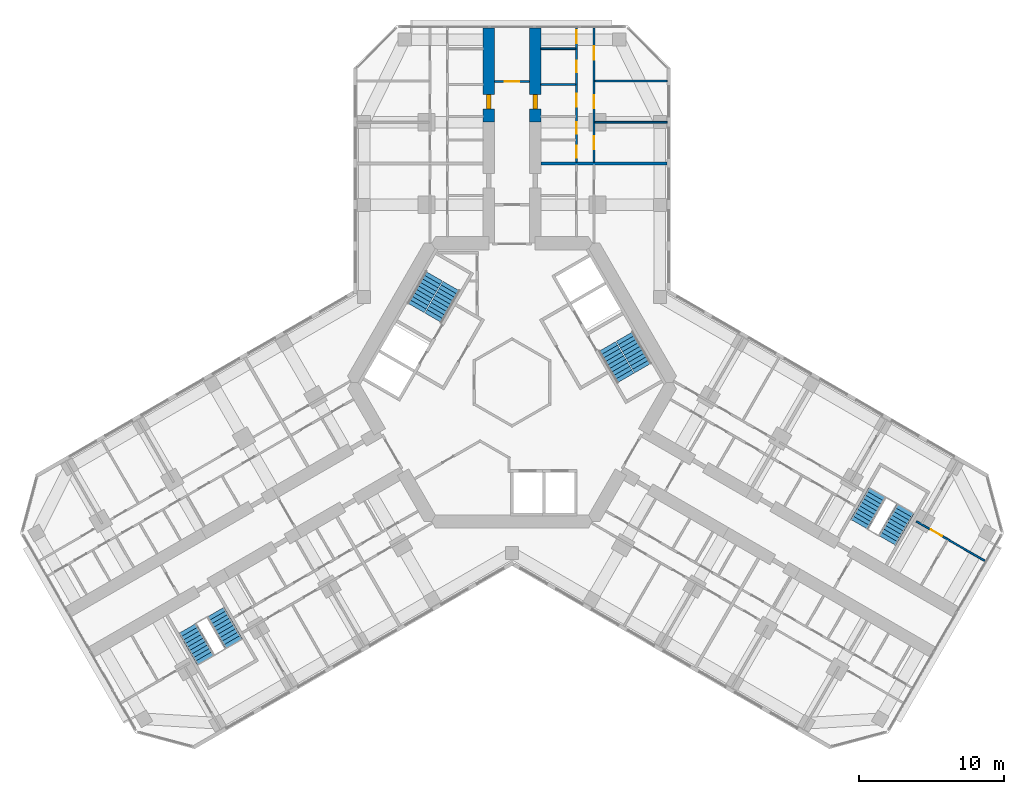
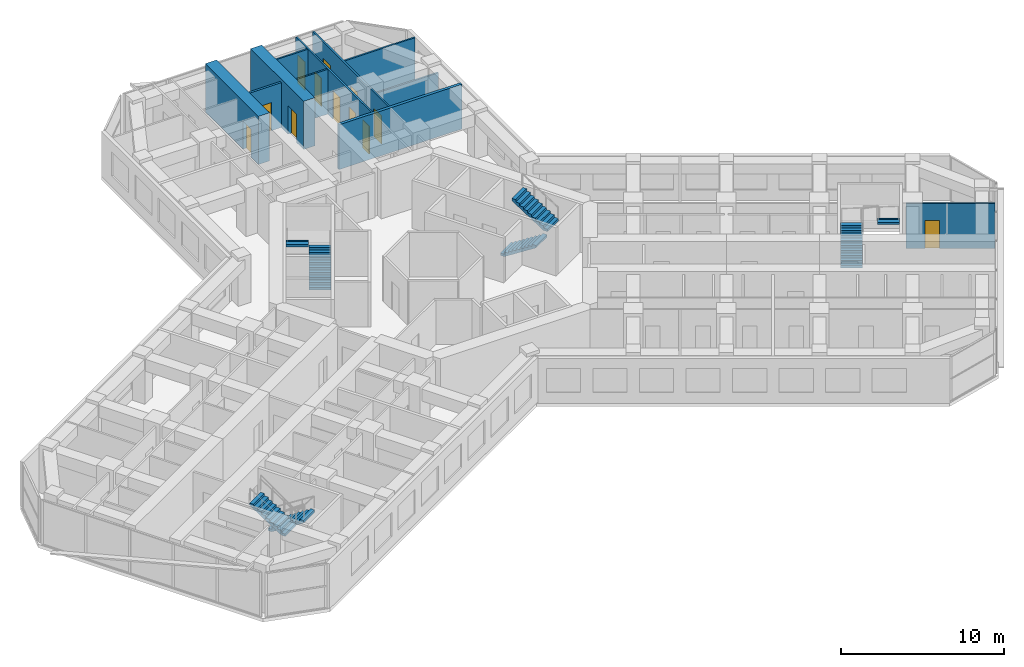
# One storey, part 18 of 19: 12 doors, 11 walls, 8 stair flights, 12 openings, 4 elements without a shape of their own.
"""IFC4 building model written with IfcOpenShell, lengths in metres."""

from ifc_helpers import new_model, si_unit, direction, frame, frame_2d, origin, place, context, subcontext, project, spatial, polyline, rectangle, outline, extrude, material, layer, layer_set, type_object, element, fill, aggregate, save


model = new_model("IFC4")

# Units and contexts
model_context = context("Model", 3, precision=1e-05, world=origin(), true_north=direction((0.0, 1.0)))
body_context = subcontext(model_context, "Body", "Model", "MODEL_VIEW")
ifc_project = project(units=[si_unit("LENGTHUNIT", "METRE"), si_unit("AREAUNIT", "SQUARE_METRE"), si_unit("VOLUMEUNIT", "CUBIC_METRE"), si_unit("PLANEANGLEUNIT", "RADIAN"), si_unit("MASSUNIT", "GRAM", prefix="KILO")], contexts=[model_context])

# Site, building, storey
site_placement = place(None, origin())
site = spatial("IfcSite", under=ifc_project, at=site_placement, CompositionType="ELEMENT")
building_placement = place(site_placement, origin())
building = spatial("IfcBuilding", under=site, at=building_placement, Name="Kosmar Iwan School Tower", CompositionType="ELEMENT")
storey_placement = place(building_placement, frame((0.0, 0.0, 168.800048828125)))
storey = spatial("IfcBuildingStorey", under=building, at=storey_placement, Name="L42", CompositionType="ELEMENT", Elevation=168.800048828125)

# Wall, opening, door
ifc_material_1 = material(Name="Concrete C50/60", Category="concrete")
ifc_layer_1 = layer(ifc_material_1, 0.800048828125)
ifc_layer_set_1 = layer_set([ifc_layer_1], Name="Corridor buttress wall 800")
wall_type_1 = type_object("IfcWallType", Name="Corridor buttress wall 800", PredefinedType="SHEAR", material=ifc_layer_set_1)
wall_1_placement = place(storey_placement, frame((-1.60009765625, 17.949951171875, 0.0), z_axis=(0.0, 0.0, 1.0), x_axis=(0.0, 1.0, 0.0)))
wall_1 = element("IfcWall", 1, at=wall_1_placement, inside=storey, type_object=wall_type_1, Name="Corridor wall AL bay 2", PredefinedType="SHEAR", context=body_context, shape_type="SweptSolid", body=[
    extrude(rectangle(XDim=6.4951171875, YDim=0.800048828125, at=frame_2d((3.24755859375, 0.0))), origin(), (0.0, 0.0, 1.0), 3.599853515625),
])
opening_1_placement = place(wall_1_placement, frame((0.89990234375, 0.0, 0.0)))
opening_1 = element("IfcOpeningElement", 2, at=opening_1_placement, cuts=wall_1, Name="Opening D1", PredefinedType="OPENING", context=body_context, shape_type="SweptSolid", body=[
    extrude(rectangle(XDim=1.0, YDim=2.10009765625, at=frame_2d((0.5, 1.050048828125))), frame((0.0, 0.412109375, 0.0), z_axis=(0.0, -1.0, 0.0), x_axis=(1.0, 0.0, 0.0)), (0.0, 0.0, 1.0), 0.823974609375),
])
ifc_material_2 = material(Name="Timber fire door in steel frame", Category="steel")
door_type_1 = type_object("IfcDoorType", Name="Flat entrance door 1000x2100", OperationType="SINGLE_SWING_LEFT", PredefinedType="DOOR", material=ifc_material_2)
door_1_placement = place(opening_1_placement, origin())
door_1 = element("IfcDoor", 3, at=door_1_placement, inside=storey, type_object=door_type_1, Name="Flat L42-AL2 entrance door", OperationType="SINGLE_SWING_LEFT", OverallHeight=2.10009765625, OverallWidth=1.0, PredefinedType="DOOR", context=body_context, shape_type="SweptSolid", body=[
    extrude(rectangle(XDim=1.0, YDim=2.10009765625, at=frame_2d((0.5, 1.050048828125))), frame((0.0, 0.14990234375, 0.0), z_axis=(0.0, -1.0, 0.0), x_axis=(1.0, 0.0, 0.0)), (0.0, 0.0, 1.0), 0.300048828125),
])
fill(opening_1, door_1)

wall_2_placement = place(storey_placement, frame((1.60009765625, 17.949951171875, 0.0), z_axis=(0.0, 0.0, 1.0), x_axis=(0.0, 1.0, 0.0)))
wall_2 = element("IfcWall", 4, at=wall_2_placement, inside=storey, type_object=wall_type_1, Name="Corridor wall AR bay 2", PredefinedType="SHEAR", context=body_context, shape_type="SweptSolid", body=[
    extrude(rectangle(XDim=6.4951171875, YDim=0.800048828125, at=frame_2d((3.24755859375, 0.0))), origin(), (0.0, 0.0, 1.0), 3.599853515625),
])
opening_2_placement = place(wall_2_placement, frame((0.89990234375, 0.0, 0.0)))
opening_2 = element("IfcOpeningElement", 5, at=opening_2_placement, cuts=wall_2, Name="Opening D1", PredefinedType="OPENING", context=body_context, shape_type="SweptSolid", body=[
    extrude(rectangle(XDim=1.0, YDim=2.10009765625, at=frame_2d((0.5, 1.050048828125))), frame((0.0, 0.412109375, 0.0), z_axis=(0.0, -1.0, 0.0), x_axis=(1.0, 0.0, 0.0)), (0.0, 0.0, 1.0), 0.823974609375),
])
door_2_placement = place(opening_2_placement, origin())
door_2 = element("IfcDoor", 6, at=door_2_placement, inside=storey, type_object=door_type_1, Name="Flat L42-AR2 entrance door", OperationType="SINGLE_SWING_RIGHT", OverallHeight=2.10009765625, OverallWidth=1.0, PredefinedType="DOOR", context=body_context, shape_type="SweptSolid", body=[
    extrude(rectangle(XDim=1.0, YDim=2.10009765625, at=frame_2d((0.5, 1.050048828125))), frame((0.0, 0.14990234375, 0.0), z_axis=(0.0, -1.0, 0.0), x_axis=(1.0, 0.0, 0.0)), (0.0, 0.0, 1.0), 0.300048828125),
])
fill(opening_2, door_2)

ifc_material_3 = material(Name="Gypsum board on steel studs, fire-rated", Category="steel")
ifc_layer_2 = layer(ifc_material_3, 0.14990234375)
ifc_layer_set_2 = layer_set([ifc_layer_2], Name="Corridor end wall 150")
wall_type_2 = type_object("IfcWallType", Name="Corridor end wall 150", PredefinedType="PARTITIONING", material=ifc_layer_set_2)
wall_3_placement = place(storey_placement, frame((1.199951171875, 20.75, 0.0), z_axis=(0.0, 0.0, 1.0), x_axis=(-1.0, 0.0, 0.0)))
wall_3 = element("IfcWall", 7, at=wall_3_placement, inside=storey, type_object=wall_type_2, Name="Partition L42-A-CE", PredefinedType="PARTITIONING", context=body_context, shape_type="SweptSolid", body=[
    extrude(rectangle(XDim=2.39990234375, YDim=0.14990234375, at=frame_2d((1.199951171875, 0.0))), origin(), (0.0, 0.0, 1.0), 3.349853515625),
])
opening_3_placement = place(wall_3_placement, frame((0.699951171875, 0.0, 0.0)))
opening_3 = element("IfcOpeningElement", 8, at=opening_3_placement, cuts=wall_3, Name="Opening D13", PredefinedType="OPENING", context=body_context, shape_type="SweptSolid", body=[
    extrude(rectangle(XDim=1.0, YDim=2.10009765625, at=frame_2d((0.5, 1.050048828125))), frame((0.0, 0.0869140625, 0.0), z_axis=(0.0, -1.0, 0.0), x_axis=(1.0, 0.0, 0.0)), (0.0, 0.0, 1.0), 0.173828125),
])
ifc_material_4 = material(Name="Timber fire door with vision panel", Category="wood")
door_type_2 = type_object("IfcDoorType", Name="Corridor end door 1000x2100", OperationType="SINGLE_SWING_LEFT", PredefinedType="DOOR", material=ifc_material_4)
door_3_placement = place(opening_3_placement, origin())
door_3 = element("IfcDoor", 9, at=door_3_placement, inside=storey, type_object=door_type_2, Name="Prayer room door L42-A", OperationType="SINGLE_SWING_LEFT", OverallHeight=2.10009765625, OverallWidth=1.0, PredefinedType="DOOR", context=body_context, shape_type="SweptSolid", body=[
    extrude(rectangle(XDim=1.0, YDim=2.10009765625, at=frame_2d((0.5, 1.050048828125))), frame((0.0, 0.02490234375, 0.0), z_axis=(0.0, -1.0, 0.0), x_axis=(1.0, 0.0, 0.0)), (0.0, 0.0, 1.0), 0.050048828125),
])
fill(opening_3, door_3)

# Wall, openings, doors
ifc_material_5 = material(Name="Gypsum board on steel studs", Category="steel")
ifc_layer_3 = layer(ifc_material_5, 0.1201171875)
ifc_layer_set_3 = layer_set([ifc_layer_3], Name="Dwelling partition 120")
wall_type_3 = type_object("IfcWallType", Name="Dwelling partition 120", PredefinedType="PARTITIONING", material=ifc_layer_set_3)
wall_4_placement = place(storey_placement, frame((4.449951171875, 15.199951171875, 0.0), z_axis=(0.0, 0.0, 1.0), x_axis=(0.0, 1.0, 0.0)))
wall_4 = element("IfcWall", 10, at=wall_4_placement, inside=storey, type_object=wall_type_3, Name="Partition L42-AR2-W1", PredefinedType="PARTITIONING", context=body_context, shape_type="SweptSolid", body=[
    extrude(rectangle(XDim=9.2451171875, YDim=0.1201171875, at=frame_2d((4.62255859375, 0.0))), origin(), (0.0, 0.0, 1.0), 3.349853515625),
])
opening_4_placement = place(wall_4_placement, frame((0.3125, 0.0, 0.0)))
opening_4 = element("IfcOpeningElement", 11, at=opening_4_placement, cuts=wall_4, Name="Opening D3", PredefinedType="OPENING", context=body_context, shape_type="SweptSolid", body=[
    extrude(rectangle(XDim=0.800048828125, YDim=2.10009765625, at=frame_2d((0.39990234375, 1.050048828125))), frame((0.0, 0.072021484375, 0.0), z_axis=(0.0, -1.0, 0.0), x_axis=(1.0, 0.0, 0.0)), (0.0, 0.0, 1.0), 0.14404296875),
])
opening_5_placement = place(wall_4_placement, frame((1.9375, 0.0, 0.0)))
opening_5 = element("IfcOpeningElement", 12, at=opening_5_placement, cuts=wall_4, Name="Opening D3", PredefinedType="OPENING", context=body_context, shape_type="SweptSolid", body=[
    extrude(rectangle(XDim=0.800048828125, YDim=2.10009765625, at=frame_2d((0.39990234375, 1.050048828125))), frame((0.0, 0.072021484375, 0.0), z_axis=(0.0, -1.0, 0.0), x_axis=(1.0, 0.0, 0.0)), (0.0, 0.0, 1.0), 0.14404296875),
])
opening_6_placement = place(wall_4_placement, frame((3.800048828125, 0.0, 0.0)))
opening_6 = element("IfcOpeningElement", 13, at=opening_6_placement, cuts=wall_4, Name="Opening D2", PredefinedType="OPENING", context=body_context, shape_type="SweptSolid", body=[
    extrude(rectangle(XDim=0.89990234375, YDim=2.10009765625, at=frame_2d((0.449951171875, 1.050048828125))), frame((0.0, 0.072021484375, 0.0), z_axis=(0.0, -1.0, 0.0), x_axis=(1.0, 0.0, 0.0)), (0.0, 0.0, 1.0), 0.14404296875),
])
opening_7_placement = place(wall_4_placement, frame((6.179931640625, 0.0, 0.0)))
opening_7 = element("IfcOpeningElement", 14, at=opening_7_placement, cuts=wall_4, Name="Opening D3", PredefinedType="OPENING", context=body_context, shape_type="SweptSolid", body=[
    extrude(rectangle(XDim=0.800048828125, YDim=2.10009765625, at=frame_2d((0.39990234375, 1.050048828125))), frame((0.0, 0.072021484375, 0.0), z_axis=(0.0, -1.0, 0.0), x_axis=(1.0, 0.0, 0.0)), (0.0, 0.0, 1.0), 0.14404296875),
])
opening_8_placement = place(wall_4_placement, frame((8.179931640625, 0.0, 0.0)))
opening_8 = element("IfcOpeningElement", 15, at=opening_8_placement, cuts=wall_4, Name="Opening D2", PredefinedType="OPENING", context=body_context, shape_type="SweptSolid", body=[
    extrude(rectangle(XDim=0.89990234375, YDim=2.10009765625, at=frame_2d((0.449951171875, 1.050048828125))), frame((0.0, 0.072021484375, 0.0), z_axis=(0.0, -1.0, 0.0), x_axis=(1.0, 0.0, 0.0)), (0.0, 0.0, 1.0), 0.14404296875),
])
ifc_material_6 = material(Name="Timber door in timber frame", Category="wood")
door_type_3 = type_object("IfcDoorType", Name="Internal door 900x2100", OperationType="SINGLE_SWING_LEFT", PredefinedType="DOOR", material=ifc_material_6)
door_4_placement = place(opening_6_placement, origin())
door_4 = element("IfcDoor", 16, at=door_4_placement, inside=storey, type_object=door_type_3, Name="Entrance hall door L42-AR2-S3", OperationType="SINGLE_SWING_RIGHT", OverallHeight=2.10009765625, OverallWidth=0.89990234375, PredefinedType="DOOR", context=body_context, shape_type="SweptSolid", body=[
    extrude(rectangle(XDim=0.89990234375, YDim=2.10009765625, at=frame_2d((0.449951171875, 1.050048828125))), frame((0.0, 0.02490234375, 0.0), z_axis=(0.0, -1.0, 0.0), x_axis=(1.0, 0.0, 0.0)), (0.0, 0.0, 1.0), 0.050048828125),
])
fill(opening_6, door_4)
door_5_placement = place(opening_8_placement, origin())
door_5 = element("IfcDoor", 17, at=door_5_placement, inside=storey, type_object=door_type_3, Name="Pantry door L42-AR2-S5", OperationType="SINGLE_SWING_RIGHT", OverallHeight=2.10009765625, OverallWidth=0.89990234375, PredefinedType="DOOR", context=body_context, shape_type="SweptSolid", body=[
    extrude(rectangle(XDim=0.89990234375, YDim=2.10009765625, at=frame_2d((0.449951171875, 1.050048828125))), frame((0.0, 0.02490234375, 0.0), z_axis=(0.0, -1.0, 0.0), x_axis=(1.0, 0.0, 0.0)), (0.0, 0.0, 1.0), 0.050048828125),
])
fill(opening_8, door_5)
ifc_material_7 = material(Name="Timber door in timber frame", Category="wood")
door_type_4 = type_object("IfcDoorType", Name="Sanitary room door 800x2100", OperationType="SINGLE_SWING_LEFT", PredefinedType="DOOR", material=ifc_material_7)
door_6_placement = place(opening_4_placement, origin())
door_6 = element("IfcDoor", 18, at=door_6_placement, inside=storey, type_object=door_type_4, Name="WC door L42-AR2-S1", OperationType="SINGLE_SWING_RIGHT", OverallHeight=2.10009765625, OverallWidth=0.800048828125, PredefinedType="DOOR", context=body_context, shape_type="SweptSolid", body=[
    extrude(rectangle(XDim=0.800048828125, YDim=2.10009765625, at=frame_2d((0.39990234375, 1.050048828125))), frame((0.0, 0.02490234375, 0.0), z_axis=(0.0, -1.0, 0.0), x_axis=(1.0, 0.0, 0.0)), (0.0, 0.0, 1.0), 0.050048828125),
])
fill(opening_4, door_6)
door_7_placement = place(opening_5_placement, origin())
door_7 = element("IfcDoor", 19, at=door_7_placement, inside=storey, type_object=door_type_4, Name="Shower room door L42-AR2-S2", OperationType="SINGLE_SWING_LEFT", OverallHeight=2.10009765625, OverallWidth=0.800048828125, PredefinedType="DOOR", context=body_context, shape_type="SweptSolid", body=[
    extrude(rectangle(XDim=0.800048828125, YDim=2.10009765625, at=frame_2d((0.39990234375, 1.050048828125))), frame((0.0, 0.02490234375, 0.0), z_axis=(0.0, -1.0, 0.0), x_axis=(1.0, 0.0, 0.0)), (0.0, 0.0, 1.0), 0.050048828125),
])
fill(opening_5, door_7)
door_8_placement = place(opening_7_placement, origin())
door_8 = element("IfcDoor", 20, at=door_8_placement, inside=storey, type_object=door_type_4, Name="Bathroom door L42-AR2-S4", OperationType="SINGLE_SWING_LEFT", OverallHeight=2.10009765625, OverallWidth=0.800048828125, PredefinedType="DOOR", context=body_context, shape_type="SweptSolid", body=[
    extrude(rectangle(XDim=0.800048828125, YDim=2.10009765625, at=frame_2d((0.39990234375, 1.050048828125))), frame((0.0, 0.02490234375, 0.0), z_axis=(0.0, -1.0, 0.0), x_axis=(1.0, 0.0, 0.0)), (0.0, 0.0, 1.0), 0.050048828125),
])
fill(opening_7, door_8)

wall_5_placement = place(storey_placement, frame((5.64990234375, 15.199951171875, 0.0), z_axis=(0.0, 0.0, 1.0), x_axis=(0.0, 1.0, 0.0)))
wall_5 = element("IfcWall", 21, at=wall_5_placement, inside=storey, type_object=wall_type_3, Name="Partition L42-AR2-W2", PredefinedType="PARTITIONING", context=body_context, shape_type="SweptSolid", body=[
    extrude(rectangle(XDim=9.2451171875, YDim=0.1201171875, at=frame_2d((4.62255859375, 0.0))), origin(), (0.0, 0.0, 1.0), 3.349853515625),
])
opening_9_placement = place(wall_5_placement, frame((0.875, 0.0, 0.0)))
opening_9 = element("IfcOpeningElement", 22, at=opening_9_placement, cuts=wall_5, Name="Opening D2", PredefinedType="OPENING", context=body_context, shape_type="SweptSolid", body=[
    extrude(rectangle(XDim=0.89990234375, YDim=2.10009765625, at=frame_2d((0.449951171875, 1.050048828125))), frame((0.0, 0.072021484375, 0.0), z_axis=(0.0, -1.0, 0.0), x_axis=(1.0, 0.0, 0.0)), (0.0, 0.0, 1.0), 0.14404296875),
])
opening_10_placement = place(wall_5_placement, frame((3.72509765625, 0.0, 0.0)))
opening_10 = element("IfcOpeningElement", 23, at=opening_10_placement, cuts=wall_5, Name="Opening D2", PredefinedType="OPENING", context=body_context, shape_type="SweptSolid", body=[
    extrude(rectangle(XDim=0.89990234375, YDim=2.10009765625, at=frame_2d((0.449951171875, 1.050048828125))), frame((0.0, 0.072021484375, 0.0), z_axis=(0.0, -1.0, 0.0), x_axis=(1.0, 0.0, 0.0)), (0.0, 0.0, 1.0), 0.14404296875),
])
opening_11_placement = place(wall_5_placement, frame((7.074951171875, 0.0, 0.0)))
opening_11 = element("IfcOpeningElement", 24, at=opening_11_placement, cuts=wall_5, Name="Opening D2", PredefinedType="OPENING", context=body_context, shape_type="SweptSolid", body=[
    extrude(rectangle(XDim=0.89990234375, YDim=2.10009765625, at=frame_2d((0.449951171875, 1.050048828125))), frame((0.0, 0.072021484375, 0.0), z_axis=(0.0, -1.0, 0.0), x_axis=(1.0, 0.0, 0.0)), (0.0, 0.0, 1.0), 0.14404296875),
])
door_9_placement = place(opening_9_placement, origin())
door_9 = element("IfcDoor", 25, at=door_9_placement, inside=storey, type_object=door_type_3, Name="Family room and kitchen door L42-AR2-F1", OperationType="SINGLE_SWING_LEFT", OverallHeight=2.10009765625, OverallWidth=0.89990234375, PredefinedType="DOOR", context=body_context, shape_type="SweptSolid", body=[
    extrude(rectangle(XDim=0.89990234375, YDim=2.10009765625, at=frame_2d((0.449951171875, 1.050048828125))), frame((0.0, 0.02490234375, 0.0), z_axis=(0.0, -1.0, 0.0), x_axis=(1.0, 0.0, 0.0)), (0.0, 0.0, 1.0), 0.050048828125),
])
fill(opening_9, door_9)
door_10_placement = place(opening_10_placement, origin())
door_10 = element("IfcDoor", 26, at=door_10_placement, inside=storey, type_object=door_type_3, Name="Bedroom 1 door L42-AR2-F2", OperationType="SINGLE_SWING_LEFT", OverallHeight=2.10009765625, OverallWidth=0.89990234375, PredefinedType="DOOR", context=body_context, shape_type="SweptSolid", body=[
    extrude(rectangle(XDim=0.89990234375, YDim=2.10009765625, at=frame_2d((0.449951171875, 1.050048828125))), frame((0.0, 0.02490234375, 0.0), z_axis=(0.0, -1.0, 0.0), x_axis=(1.0, 0.0, 0.0)), (0.0, 0.0, 1.0), 0.050048828125),
])
fill(opening_10, door_10)
door_11_placement = place(opening_11_placement, origin())
door_11 = element("IfcDoor", 27, at=door_11_placement, inside=storey, type_object=door_type_3, Name="Bedroom 2 door L42-AR2-F3", OperationType="SINGLE_SWING_RIGHT", OverallHeight=2.10009765625, OverallWidth=0.89990234375, PredefinedType="DOOR", context=body_context, shape_type="SweptSolid", body=[
    extrude(rectangle(XDim=0.89990234375, YDim=2.10009765625, at=frame_2d((0.449951171875, 1.050048828125))), frame((0.0, 0.02490234375, 0.0), z_axis=(0.0, -1.0, 0.0), x_axis=(1.0, 0.0, 0.0)), (0.0, 0.0, 1.0), 0.050048828125),
])
fill(opening_11, door_11)

# Walls
wall_6_placement = place(storey_placement, frame((5.7099609375, 17.949951171875, 0.0), z_axis=(0.0, 0.0, 1.0), x_axis=(1.0, 0.0, 0.0)))
element("IfcWall", 28, at=wall_6_placement, inside=storey, type_object=wall_type_3, Name="Partition L42-AR2-X1", PredefinedType="PARTITIONING", context=body_context, shape_type="SweptSolid", body=[
    extrude(rectangle(XDim=4.989990234375, YDim=0.1201171875, at=frame_2d((2.4951171875, 0.0))), origin(), (0.0, 0.0, 1.0), 2.449951171875),
])
wall_7_placement = place(storey_placement, frame((5.7099609375, 20.800048828125, 0.0), z_axis=(0.0, 0.0, 1.0), x_axis=(1.0, 0.0, 0.0)))
element("IfcWall", 29, at=wall_7_placement, inside=storey, type_object=wall_type_3, Name="Partition L42-AR2-X2", PredefinedType="PARTITIONING", context=body_context, shape_type="SweptSolid", body=[
    extrude(rectangle(XDim=4.989990234375, YDim=0.1201171875, at=frame_2d((2.4951171875, 0.0))), origin(), (0.0, 0.0, 1.0), 3.349853515625),
])
for number, where, z_axis, x_axis, name in (
    (30, (2.0, 20.550048828125, 0.0), (0.0, 0.0, 1.0), (1.0, 0.0, 0.0), "Partition L42-AR2-Y3"),
    (31, (2.0, 23.010009765625, 0.0), (0.0, 0.0, 1.0), (1.0, 0.0, 0.0), "Partition L42-AR2-Y4"),
):
    element("IfcWall", number, at=place(storey_placement, frame(where, z_axis=z_axis, x_axis=x_axis)), inside=storey, type_object=wall_type_3, Name=name, PredefinedType="PARTITIONING", context=body_context, shape_type="SweptSolid", body=[
        extrude(rectangle(XDim=2.389892578125, YDim=0.1201171875, at=frame_2d((1.19482421875, 0.0))), origin(), (0.0, 0.0, 1.0), 3.349853515625),
    ])

# Wall, opening, door
wall_8_placement = place(storey_placement, frame((27.896484375, -9.58203125, 0.0), z_axis=(0.0, 0.0, 1.0), x_axis=(0.866035508231, -0.499982498177, 0.0)))
wall_8 = element("IfcWall", 32, at=wall_8_placement, inside=storey, type_object=wall_type_3, Name="Partition L42-CL2-TW", PredefinedType="PARTITIONING", context=body_context, shape_type="SweptSolid", body=[
    extrude(rectangle(XDim=5.445068359375, YDim=0.1201171875, at=frame_2d((2.72265625, 0.0))), origin(), (0.0, 0.0, 1.0), 3.349853515625),
])
opening_12_placement = place(wall_8_placement, frame((1.14990234375, 0.0, 0.0)))
opening_12 = element("IfcOpeningElement", 33, at=opening_12_placement, cuts=wall_8, Name="Opening D2", PredefinedType="OPENING", context=body_context, shape_type="SweptSolid", body=[
    extrude(rectangle(XDim=0.89990234375, YDim=2.10009765625, at=frame_2d((0.449951171875, 1.050048828125))), frame((0.0, 0.072021484375, 0.0), z_axis=(0.0, -1.0, 0.0), x_axis=(1.0, 0.0, 0.0)), (0.0, 0.0, 1.0), 0.14404296875),
])
door_12_placement = place(opening_12_placement, origin())
door_12 = element("IfcDoor", 34, at=door_12_placement, inside=storey, type_object=door_type_3, Name="Dressing room door L42-CL2-T3", OperationType="SINGLE_SWING_LEFT", OverallHeight=2.10009765625, OverallWidth=0.89990234375, PredefinedType="DOOR", context=body_context, shape_type="SweptSolid", body=[
    extrude(rectangle(XDim=0.89990234375, YDim=2.10009765625, at=frame_2d((0.449951171875, 1.050048828125))), frame((0.0, 0.02490234375, 0.0), z_axis=(0.0, -1.0, 0.0), x_axis=(1.0, 0.0, 0.0)), (0.0, 0.0, 1.0), 0.050048828125),
])
fill(opening_12, door_12)

# Wall
ifc_material_8 = material(Name="Concrete block masonry", Category="masonry")
ifc_layer_4 = layer(ifc_material_8, 0.199951171875)
ifc_layer_set_4 = layer_set([ifc_layer_4], Name="Party wall 200")
wall_type_4 = type_object("IfcWallType", Name="Party wall 200", PredefinedType="PARTITIONING", material=ifc_layer_set_4)
wall_9_placement = place(storey_placement, frame((2.0, 15.10009765625, 0.0), z_axis=(0.0, 0.0, 1.0), x_axis=(1.0, 0.0, 0.0)))
element("IfcWall", 35, at=wall_9_placement, inside=storey, type_object=wall_type_4, Name="Partition L42-AR2-PW", PredefinedType="PARTITIONING", context=body_context, shape_type="SweptSolid", body=[
    extrude(rectangle(XDim=8.699951171875, YDim=0.199951171875, at=frame_2d((4.35009765625, 0.0))), origin(), (0.0, 0.0, 1.0), 3.349853515625),
])

# Stair, stair flights
ifc_material_9 = material(Name="Concrete C35/45", Category="concrete")
stair_type_1 = type_object("IfcStairType", Name="Escape stair 3600", PredefinedType="HALF_TURN_STAIR", material=ifc_material_9)
stair_1_placement = place(storey_placement, origin())
stair_1 = element("IfcStair", 36, at=stair_1_placement, inside=storey, type_object=stair_type_1, Name="Stair WS2 L42", PredefinedType="HALF_TURN_STAIR")
ifc_material_10 = material(Name="Concrete C35/45", Category="concrete")
stair_flight_type_1 = type_object("IfcStairFlightType", Name="Escape stair flight 1350", PredefinedType="STRAIGHT", material=ifc_material_10)
stair_flight_1_placement = place(storey_placement, frame((-20.44189453125, -15.843505859375, 0.0), z_axis=(0.0, 0.0, 1.0), x_axis=(0.5, -0.866025403784, 0.0)))
stair_flight_1 = element("IfcStairFlight", 37, at=stair_flight_1_placement, type_object=stair_flight_type_1, Name="WS2 flight 1", NumberOfRisers=10, NumberOfTreads=9, PredefinedType="STRAIGHT", RiserHeight=0.18, TreadLength=0.28, context=body_context, shape_type="SweptSolid", body=[
    extrude(outline(polyline([(0.0, 0.0), (0.0, 0.179931640625), (0.280029296875, 0.179931640625), (0.280029296875, 0.360107421875), (0.56005859375, 0.360107421875), (0.56005859375, 0.5400390625), (0.840087890625, 0.5400390625), (0.840087890625, 0.719970703125), (1.1201171875, 0.719970703125), (1.1201171875, 0.89990234375), (1.39990234375, 0.89990234375), (1.39990234375, 1.080078125), (1.679931640625, 1.080078125), (1.679931640625, 1.260009765625), (1.9599609375, 1.260009765625), (1.9599609375, 1.43994140625), (2.239990234375, 1.43994140625), (2.239990234375, 1.6201171875), (2.52001953125, 1.6201171875), (2.52001953125, 1.800048828125), (2.52001953125, 1.44189453125), (0.277099609375, 0.0), (0.0, 0.0)])), frame((0.0, 0.675048828125, 0.0), z_axis=(0.0, -1.0, 0.0), x_axis=(1.0, 0.0, 0.0)), (0.0, 0.0, 1.0), 1.35009765625),
])
stair_flight_2_placement = place(storey_placement, frame((-21.13037109375, -19.15087890625, 1.800048828125), z_axis=(0.0, 0.0, 1.0), x_axis=(-0.5, 0.866025403784, 0.0)))
stair_flight_2 = element("IfcStairFlight", 38, at=stair_flight_2_placement, type_object=stair_flight_type_1, Name="WS2 flight 2", NumberOfRisers=10, NumberOfTreads=9, PredefinedType="STRAIGHT", RiserHeight=0.18, TreadLength=0.28, context=body_context, shape_type="SweptSolid", body=[
    extrude(outline(polyline([(0.0, 0.0), (0.0, 0.179931640625), (0.280029296875, 0.179931640625), (0.280029296875, 0.360107421875), (0.56005859375, 0.360107421875), (0.56005859375, 0.5400390625), (0.840087890625, 0.5400390625), (0.840087890625, 0.719970703125), (1.1201171875, 0.719970703125), (1.1201171875, 0.89990234375), (1.39990234375, 0.89990234375), (1.39990234375, 1.080078125), (1.679931640625, 1.080078125), (1.679931640625, 1.260009765625), (1.9599609375, 1.260009765625), (1.9599609375, 1.43994140625), (2.239990234375, 1.43994140625), (2.239990234375, 1.6201171875), (2.52001953125, 1.6201171875), (2.52001953125, 1.800048828125), (2.52001953125, 1.44189453125), (0.277099609375, 0.0), (0.0, 0.0)])), frame((0.0, 0.675048828125, 0.0), z_axis=(0.0, -1.0, 0.0), x_axis=(1.0, 0.0, 0.0)), (0.0, 0.0, 1.0), 1.35009765625),
])
aggregate(stair_1, [stair_flight_1, stair_flight_2])

stair_2_placement = place(storey_placement, origin())
stair_2 = element("IfcStair", 39, at=stair_2_placement, inside=storey, type_object=stair_type_1, Name="Stair WS3 L42", PredefinedType="HALF_TURN_STAIR")
stair_flight_3_placement = place(storey_placement, frame((23.94189453125, -9.781494140625, 0.0), z_axis=(0.0, 0.0, 1.0), x_axis=(0.5, 0.866025403784, 0.0)))
stair_flight_3 = element("IfcStairFlight", 40, at=stair_flight_3_placement, type_object=stair_flight_type_1, Name="WS3 flight 1", NumberOfRisers=10, NumberOfTreads=9, PredefinedType="STRAIGHT", RiserHeight=0.18, TreadLength=0.28, context=body_context, shape_type="SweptSolid", body=[
    extrude(outline(polyline([(0.0, 0.0), (0.0, 0.179931640625), (0.280029296875, 0.179931640625), (0.280029296875, 0.360107421875), (0.56005859375, 0.360107421875), (0.56005859375, 0.5400390625), (0.840087890625, 0.5400390625), (0.840087890625, 0.719970703125), (1.1201171875, 0.719970703125), (1.1201171875, 0.89990234375), (1.39990234375, 0.89990234375), (1.39990234375, 1.080078125), (1.679931640625, 1.080078125), (1.679931640625, 1.260009765625), (1.9599609375, 1.260009765625), (1.9599609375, 1.43994140625), (2.239990234375, 1.43994140625), (2.239990234375, 1.6201171875), (2.52001953125, 1.6201171875), (2.52001953125, 1.800048828125), (2.52001953125, 1.44189453125), (0.277099609375, 0.0), (0.0, 0.0)])), frame((0.0, 0.675048828125, 0.0), z_axis=(0.0, -1.0, 0.0), x_axis=(1.0, 0.0, 0.0)), (0.0, 0.0, 1.0), 1.35009765625),
])
stair_flight_4_placement = place(storey_placement, frame((27.150390625, -8.72412109375, 1.800048828125), z_axis=(0.0, 0.0, 1.0), x_axis=(-0.5, -0.866025403784, 0.0)))
stair_flight_4 = element("IfcStairFlight", 41, at=stair_flight_4_placement, type_object=stair_flight_type_1, Name="WS3 flight 2", NumberOfRisers=10, NumberOfTreads=9, PredefinedType="STRAIGHT", RiserHeight=0.18, TreadLength=0.28, context=body_context, shape_type="SweptSolid", body=[
    extrude(outline(polyline([(0.0, 0.0), (0.0, 0.179931640625), (0.280029296875, 0.179931640625), (0.280029296875, 0.360107421875), (0.56005859375, 0.360107421875), (0.56005859375, 0.5400390625), (0.840087890625, 0.5400390625), (0.840087890625, 0.719970703125), (1.1201171875, 0.719970703125), (1.1201171875, 0.89990234375), (1.39990234375, 0.89990234375), (1.39990234375, 1.080078125), (1.679931640625, 1.080078125), (1.679931640625, 1.260009765625), (1.9599609375, 1.260009765625), (1.9599609375, 1.43994140625), (2.239990234375, 1.43994140625), (2.239990234375, 1.6201171875), (2.52001953125, 1.6201171875), (2.52001953125, 1.800048828125), (2.52001953125, 1.44189453125), (0.277099609375, 0.0), (0.0, 0.0)])), frame((0.0, 0.675048828125, 0.0), z_axis=(0.0, -1.0, 0.0), x_axis=(1.0, 0.0, 0.0)), (0.0, 0.0, 1.0), 1.35009765625),
])
aggregate(stair_2, [stair_flight_3, stair_flight_4])

ifc_material_11 = material(Name="Concrete C35/45", Category="concrete")
stair_type_2 = type_object("IfcStairType", Name="Core stair 2750", PredefinedType="HALF_TURN_STAIR", material=ifc_material_11)
stair_3_placement = place(storey_placement, origin())
stair_3 = element("IfcStair", 42, at=stair_3_placement, inside=storey, type_object=stair_type_2, Name="Stair ST2 L42", PredefinedType="HALF_TURN_STAIR")
ifc_material_12 = material(Name="Concrete C35/45", Category="concrete")
stair_flight_type_2 = type_object("IfcStairFlightType", Name="Stair flight 1350", PredefinedType="STRAIGHT", material=ifc_material_12)
stair_flight_5_placement = place(storey_placement, frame((-5.42724609375, 4.44970703125, 0.0), z_axis=(0.0, 0.0, 1.0), x_axis=(0.5, 0.866025403784, 0.0)))
stair_flight_5 = element("IfcStairFlight", 43, at=stair_flight_5_placement, type_object=stair_flight_type_2, Name="ST2 flight 1", NumberOfRisers=10, NumberOfTreads=9, PredefinedType="STRAIGHT", RiserHeight=0.18, TreadLength=0.28, context=body_context, shape_type="SweptSolid", body=[
    extrude(outline(polyline([(0.0, 0.0), (0.0, 0.179931640625), (0.280029296875, 0.179931640625), (0.280029296875, 0.360107421875), (0.56005859375, 0.360107421875), (0.56005859375, 0.5400390625), (0.840087890625, 0.5400390625), (0.840087890625, 0.719970703125), (1.1201171875, 0.719970703125), (1.1201171875, 0.89990234375), (1.39990234375, 0.89990234375), (1.39990234375, 1.080078125), (1.679931640625, 1.080078125), (1.679931640625, 1.260009765625), (1.9599609375, 1.260009765625), (1.9599609375, 1.43994140625), (2.239990234375, 1.43994140625), (2.239990234375, 1.6201171875), (2.52001953125, 1.6201171875), (2.52001953125, 1.800048828125), (2.52001953125, 1.44189453125), (0.277099609375, 0.0), (0.0, 0.0)])), frame((0.0, 0.675048828125, 0.0), z_axis=(0.0, -1.0, 0.0), x_axis=(1.0, 0.0, 0.0)), (0.0, 0.0, 1.0), 1.35009765625),
])
stair_flight_6_placement = place(storey_placement, frame((-5.379638671875, 7.33203125, 1.800048828125), z_axis=(0.0, 0.0, 1.0), x_axis=(-0.5, -0.866025403784, 0.0)))
stair_flight_6 = element("IfcStairFlight", 44, at=stair_flight_6_placement, type_object=stair_flight_type_2, Name="ST2 flight 2", NumberOfRisers=10, NumberOfTreads=9, PredefinedType="STRAIGHT", RiserHeight=0.18, TreadLength=0.28, context=body_context, shape_type="SweptSolid", body=[
    extrude(outline(polyline([(0.0, 0.0), (0.0, 0.179931640625), (0.280029296875, 0.179931640625), (0.280029296875, 0.360107421875), (0.56005859375, 0.360107421875), (0.56005859375, 0.5400390625), (0.840087890625, 0.5400390625), (0.840087890625, 0.719970703125), (1.1201171875, 0.719970703125), (1.1201171875, 0.89990234375), (1.39990234375, 0.89990234375), (1.39990234375, 1.080078125), (1.679931640625, 1.080078125), (1.679931640625, 1.260009765625), (1.9599609375, 1.260009765625), (1.9599609375, 1.43994140625), (2.239990234375, 1.43994140625), (2.239990234375, 1.6201171875), (2.52001953125, 1.6201171875), (2.52001953125, 1.800048828125), (2.52001953125, 1.44189453125), (0.277099609375, 0.0), (0.0, 0.0)])), frame((0.0, 0.675048828125, 0.0), z_axis=(0.0, -1.0, 0.0), x_axis=(1.0, 0.0, 0.0)), (0.0, 0.0, 1.0), 1.35009765625),
])
aggregate(stair_3, [stair_flight_5, stair_flight_6])

stair_4_placement = place(storey_placement, origin())
stair_4 = element("IfcStair", 45, at=stair_4_placement, inside=storey, type_object=stair_type_2, Name="Stair ST1 L42", PredefinedType="HALF_TURN_STAIR")
stair_flight_7_placement = place(storey_placement, frame((6.567138671875, 2.475341796875, 0.0), z_axis=(0.0, 0.0, 1.0), x_axis=(0.5, -0.866025403784, 0.0)))
stair_flight_7 = element("IfcStairFlight", 46, at=stair_flight_7_placement, type_object=stair_flight_type_2, Name="ST1 flight 1", NumberOfRisers=10, NumberOfTreads=9, PredefinedType="STRAIGHT", RiserHeight=0.18, TreadLength=0.28, context=body_context, shape_type="SweptSolid", body=[
    extrude(outline(polyline([(0.0, 0.0), (0.0, 0.179931640625), (0.280029296875, 0.179931640625), (0.280029296875, 0.360107421875), (0.56005859375, 0.360107421875), (0.56005859375, 0.5400390625), (0.840087890625, 0.5400390625), (0.840087890625, 0.719970703125), (1.1201171875, 0.719970703125), (1.1201171875, 0.89990234375), (1.39990234375, 0.89990234375), (1.39990234375, 1.080078125), (1.679931640625, 1.080078125), (1.679931640625, 1.260009765625), (1.9599609375, 1.260009765625), (1.9599609375, 1.43994140625), (2.239990234375, 1.43994140625), (2.239990234375, 1.6201171875), (2.52001953125, 1.6201171875), (2.52001953125, 1.800048828125), (2.52001953125, 1.44189453125), (0.277099609375, 0.0), (0.0, 0.0)])), frame((0.0, 0.675048828125, 0.0), z_axis=(0.0, -1.0, 0.0), x_axis=(1.0, 0.0, 0.0)), (0.0, 0.0, 1.0), 1.35009765625),
])
stair_flight_8_placement = place(storey_placement, frame((9.03955078125, 0.992919921875, 1.800048828125), z_axis=(0.0, 0.0, 1.0), x_axis=(-0.5, 0.866025403784, 0.0)))
stair_flight_8 = element("IfcStairFlight", 47, at=stair_flight_8_placement, type_object=stair_flight_type_2, Name="ST1 flight 2", NumberOfRisers=10, NumberOfTreads=9, PredefinedType="STRAIGHT", RiserHeight=0.18, TreadLength=0.28, context=body_context, shape_type="SweptSolid", body=[
    extrude(outline(polyline([(0.0, 0.0), (0.0, 0.179931640625), (0.280029296875, 0.179931640625), (0.280029296875, 0.360107421875), (0.56005859375, 0.360107421875), (0.56005859375, 0.5400390625), (0.840087890625, 0.5400390625), (0.840087890625, 0.719970703125), (1.1201171875, 0.719970703125), (1.1201171875, 0.89990234375), (1.39990234375, 0.89990234375), (1.39990234375, 1.080078125), (1.679931640625, 1.080078125), (1.679931640625, 1.260009765625), (1.9599609375, 1.260009765625), (1.9599609375, 1.43994140625), (2.239990234375, 1.43994140625), (2.239990234375, 1.6201171875), (2.52001953125, 1.6201171875), (2.52001953125, 1.800048828125), (2.52001953125, 1.44189453125), (0.277099609375, 0.0), (0.0, 0.0)])), frame((0.0, 0.675048828125, 0.0), z_axis=(0.0, -1.0, 0.0), x_axis=(1.0, 0.0, 0.0)), (0.0, 0.0, 1.0), 1.35009765625),
])
aggregate(stair_4, [stair_flight_7, stair_flight_8])

save(model, "model.ifc")
